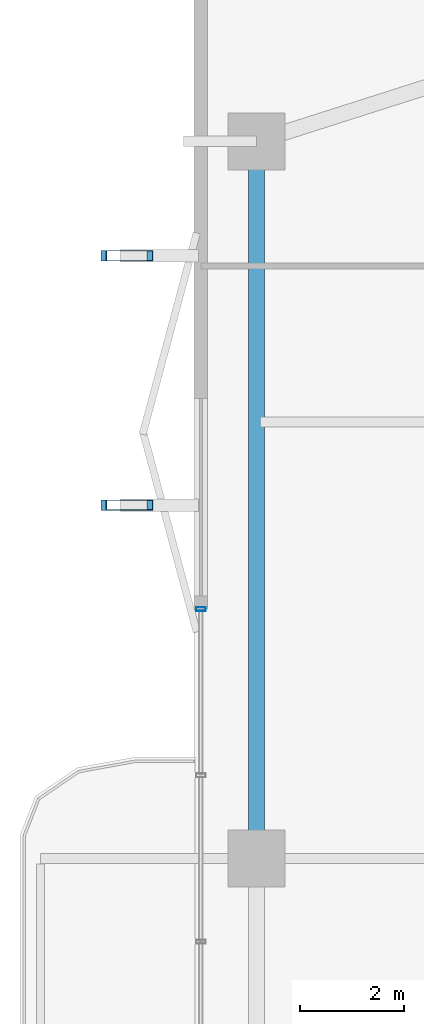
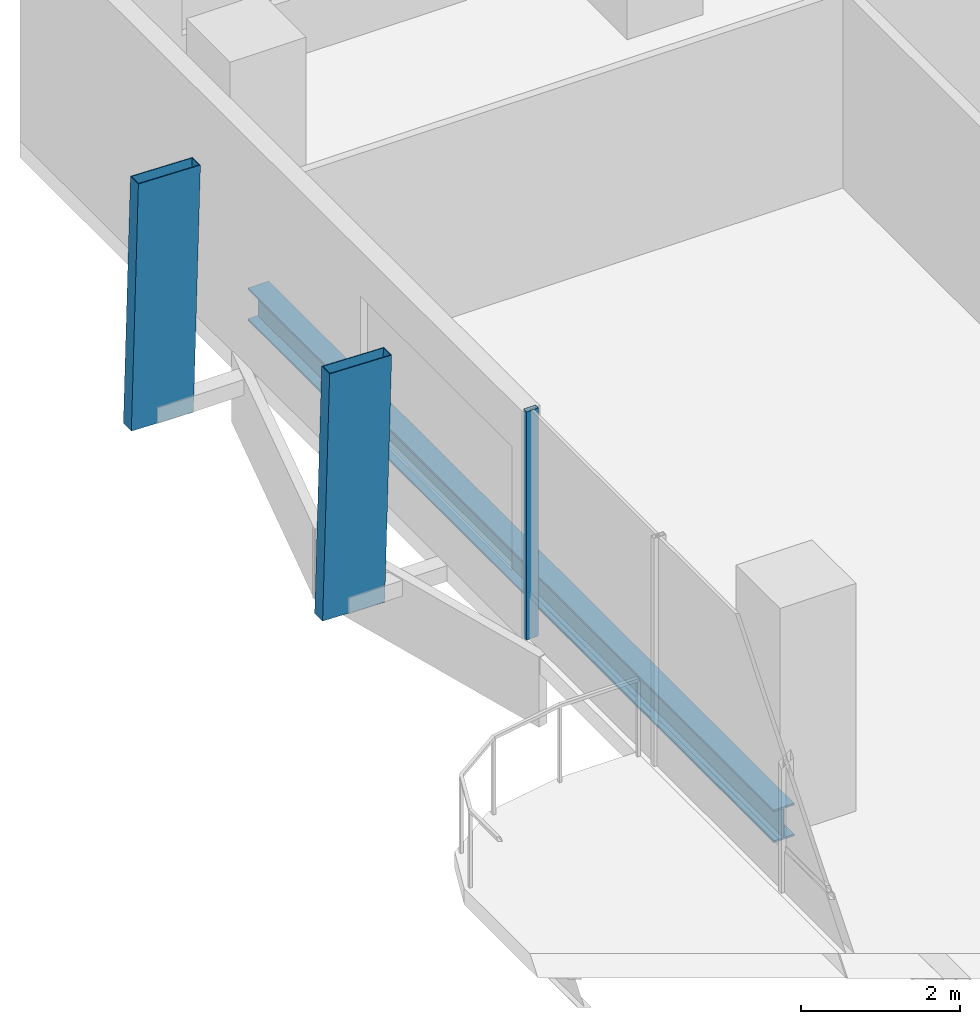
# One storey, part 11 of 23: 3 members, 1 beam, 1 element without a shape of its own.
"""IFC4 building model written with IfcOpenShell, lengths in metres."""

from ifc_helpers import new_model, si_unit, direction, frame, origin, origin_2d, place, context, subcontext, project, spatial, hollow_rectangle, i_section, extrude, material, layer, layer_set, material_profile, profile_set, type_object, element, aggregate, save


model = new_model("IFC4")

# Units and contexts
model_context = context("Model", 3, precision=1e-05, world=origin(), true_north=direction((0.0, 1.0)))
body_context = subcontext(model_context, "Body", "Model", "MODEL_VIEW")
ifc_project = project(units=[si_unit("LENGTHUNIT", "METRE"), si_unit("AREAUNIT", "SQUARE_METRE"), si_unit("VOLUMEUNIT", "CUBIC_METRE"), si_unit("PLANEANGLEUNIT", "RADIAN"), si_unit("MASSUNIT", "GRAM", prefix="KILO")], contexts=[model_context])

# Site, building, storey
site_placement = place(None, origin())
site = spatial("IfcSite", under=ifc_project, at=site_placement, CompositionType="ELEMENT")
building_placement = place(site_placement, origin())
building = spatial("IfcBuilding", under=site, at=building_placement, Name="Belovzor Exchange Tower", CompositionType="ELEMENT")
storey_placement = place(building_placement, frame((0.0, 0.0, 157.050048828125)))
storey = spatial("IfcBuildingStorey", under=building, at=storey_placement, Name="L38", CompositionType="ELEMENT", Elevation=157.050048828125)

# Members
ifc_material_1 = material(Name="Extruded Architectural Terracotta on Steel S355 Carrier", Category="masonry")
ifc_material_profile_1 = material_profile(ifc_material_1, hollow_rectangle(XDim=0.199951171875, YDim=0.89990234375, WallThickness=0.011962890625, at=origin_2d()))
ifc_profile_set_1 = profile_set([ifc_material_profile_1], Name="Extruded Architectural Terracotta on Steel S355 Carrier")
member_type_1 = type_object("IfcMemberType", Name="Sweeping Terracotta Baguette Fin Assembly 1250", PredefinedType="USERDEFINED", material=ifc_profile_set_1)
for number, where, z_axis, x_axis, name in (
    (1, (3.156982421875, 35.60009765625, -0.255126953125), (0.027203470401, 0.0, 0.999629917118), (0.0, 1.0, 0.0), "FIN-TC125 Terracotta Facade Fin L38 W3"),
    (2, (3.156982421875, 40.39990234375, -0.255126953125), (0.027203470401, 0.0, 0.999629917118), (0.0, 1.0, 0.0), "FIN-TC125 Terracotta Facade Fin L38 W4"),
):
    element("IfcMember", number, at=place(storey_placement, frame(where, z_axis=z_axis, x_axis=x_axis)), inside=storey, type_object=member_type_1, Name=name, ObjectType="FIN", PredefinedType="USERDEFINED", context=body_context, shape_type="SweptSolid", body=[
        extrude(hollow_rectangle(XDim=0.199951171875, YDim=0.89990234375, WallThickness=0.011962890625, at=origin_2d()), origin(), (0.0, 0.0, 1.0), 3.75146484375),
    ])

# Curtain wall, member
ifc_material_2 = material(Name="Anodised Aluminium Framing", Category="aluminium")
ifc_layer = layer(ifc_material_2, 0.179931640625)
ifc_layer_set = layer_set([ifc_layer], Name="Anodised Aluminium Framing")
curtain_wall_type = type_object("IfcCurtainWallType", Name="Recessed Loggia Low-Iron Triple-Glazed Curtain Wall", PredefinedType="NOTDEFINED", material=ifc_layer_set)
curtain_wall_placement = place(storey_placement, origin())
curtain_wall = element("IfcCurtainWall", 3, at=curtain_wall_placement, inside=storey, type_object=curtain_wall_type, Name="CW3 Recessed Loggia Low-Iron Triple-Glazed Curtain Wall L38", PredefinedType="NOTDEFINED")
ifc_material_3 = material(Name="Steel S355", Category="steel")
ifc_material_profile_2 = material_profile(ifc_material_3, hollow_rectangle(XDim=0.074951171875, YDim=0.179931640625, WallThickness=0.0048828125, at=origin_2d()))
ifc_profile_set_2 = profile_set([ifc_material_profile_2], Name="Steel S355")
member_type_2 = type_object("IfcMemberType", Name="Thermally Broken Curtain Wall Mullion 180x75", PredefinedType="MULLION", material=ifc_profile_set_2)
member_placement = place(storey_placement, frame((4.6298828125, 33.60009765625, 0.0), z_axis=(0.0, 0.0, 1.0), x_axis=(0.0, 1.0, 0.0)))
member = element("IfcMember", 4, at=member_placement, type_object=member_type_2, Name="CW-M180 Curtain Wall Mullion 4", PredefinedType="MULLION", context=body_context, shape_type="SweptSolid", body=[
    extrude(hollow_rectangle(XDim=0.074951171875, YDim=0.179931640625, WallThickness=0.0048828125, at=origin_2d()), origin(), (0.0, 0.0, 1.0), 3.494873046875),
])
aggregate(curtain_wall, [member])

# Beam
ifc_material_4 = material(Name="Steel S355", Category="steel")
ifc_material_profile_3 = material_profile(ifc_material_4, i_section(OverallWidth=0.300048828125, OverallDepth=0.5, WebThickness=0.014404296875, FlangeThickness=0.028076171875, at=origin_2d()))
ifc_profile_set_3 = profile_set([ifc_material_profile_3], Name="Steel S355")
beam_type = type_object("IfcBeamType", Name="Zone 3 Waist Primary Girder HEB 500", PredefinedType="BEAM", material=ifc_profile_set_3)
beam_placement = place(storey_placement, frame((5.699951171875, 42.297119140625, -0.505126953125), z_axis=(0.0, -1.0, 0.0), x_axis=(1.0, 0.0, 0.0)))
element("IfcBeam", 5, at=beam_placement, inside=storey, type_object=beam_type, Name="FG-Z3 Zone 3 Waist Primary Girder HEB 500", PredefinedType="BEAM", context=body_context, shape_type="SweptSolid", body=[
    extrude(i_section(OverallWidth=0.300048828125, OverallDepth=0.5, WebThickness=0.014404296875, FlangeThickness=0.028076171875, at=origin_2d()), origin(), (0.0, 0.0, 1.0), 13.195068359375),
])

save(model, "model.ifc")
